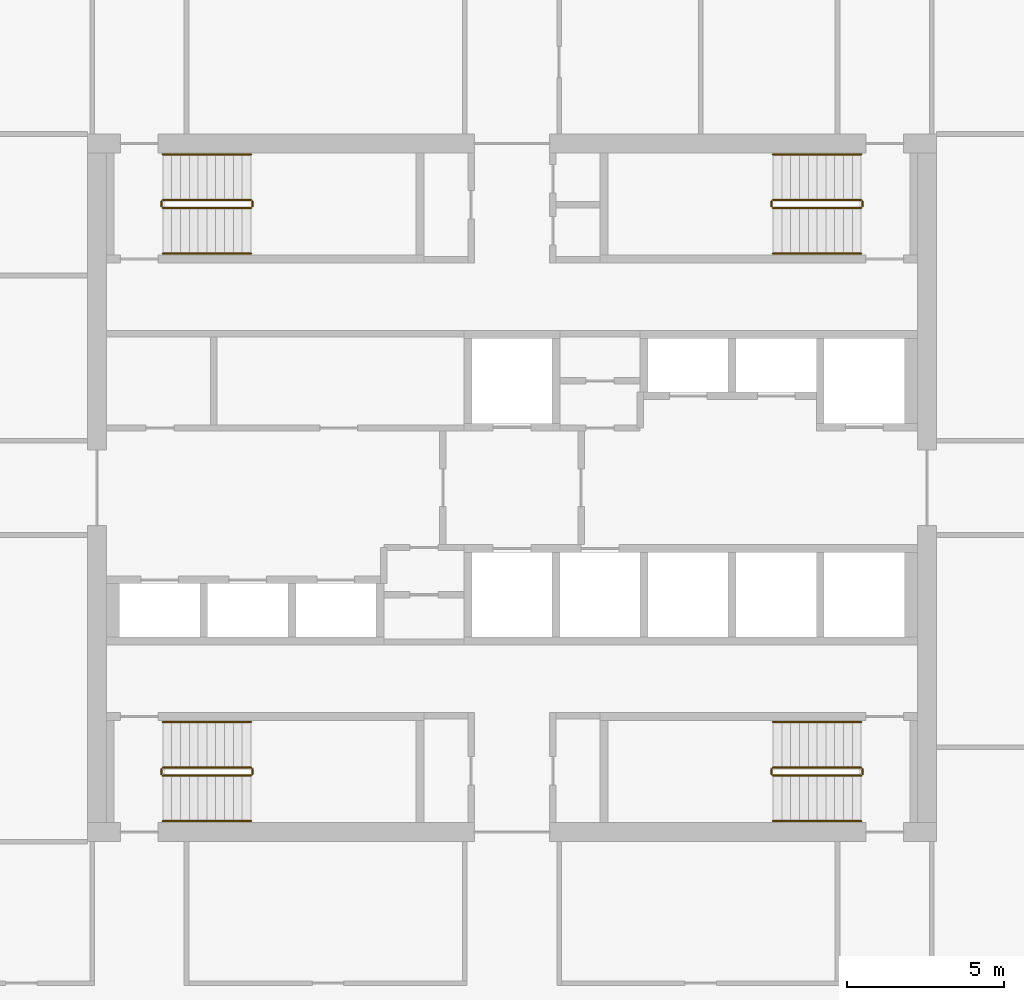
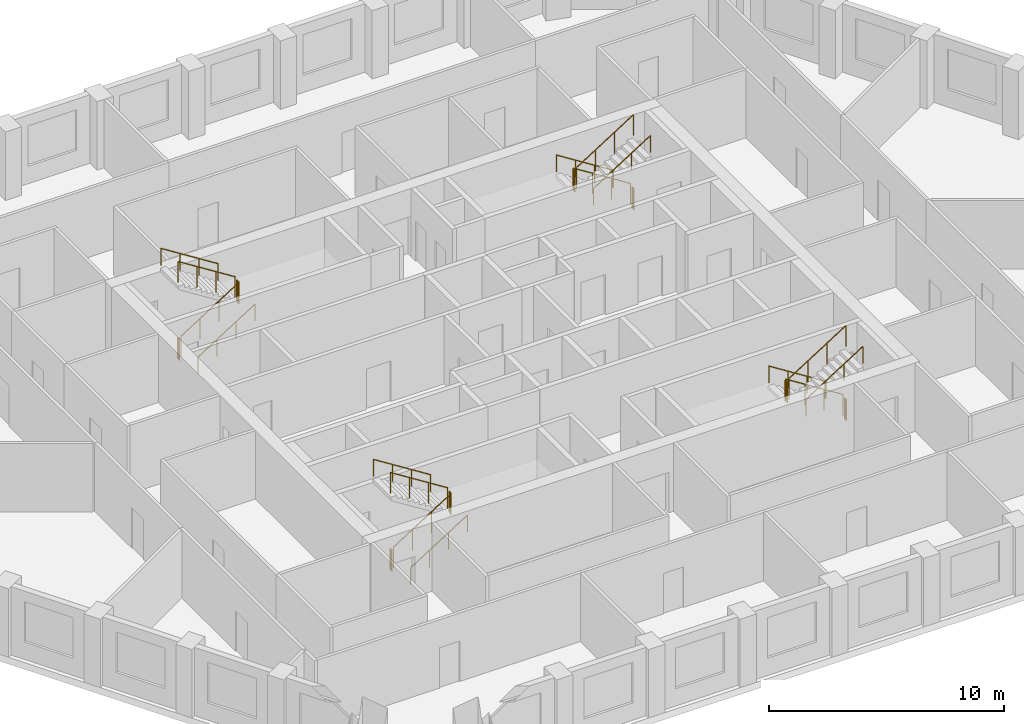
# One storey, part 9 of 9: 24 railings.
"""IFC4 building model written with IfcOpenShell, lengths in metres."""

import ifcopenshell
import ifcopenshell.guid

model = None  # the IFC model being written
_history = None  # IfcOwnerHistory: only IFC2X3 demands one
_inside = {}  # id of a spatial element -> (the spatial element, [elements in it])
_under = {}  # id of a project, library or spatial element -> (it, [spatial elements below it])
_declared = {}  # id of a project -> (the project, [libraries it declares])
_typed = {}  # id of a type object -> (the type object, [elements of that type])
_made_of = {}  # id of a material, layer set ... -> (it, [elements and type objects made of it])


def new_model(schema):
    """Start an empty IFC model of exactly this schema.

    Asked for "IFC4X3", IfcOpenShell would pick the latest addendum, in which some entities
    have other attributes; the version numbers below select the first issue.
    IFC2X3 requires an IfcOwnerHistory on every rooted entity: one is made here for all.
    """
    global model, _history
    if schema == "IFC4X3":
        model = ifcopenshell.file(schema_version=(4, 3, 0, 0))
    else:
        model = ifcopenshell.file(schema=schema)
    _inside.clear()
    _under.clear()
    _declared.clear()
    _typed.clear()
    _made_of.clear()
    _history = None
    if model.schema == "IFC2X3":
        org = make("IfcOrganization", Name="unknown")
        user = make(
            "IfcPersonAndOrganization",
            ThePerson=make("IfcPerson", FamilyName="unknown"),
            TheOrganization=org,
        )
        app = make(
            "IfcApplication",
            ApplicationDeveloper=org,
            Version="unknown",
            ApplicationFullName="unknown",
            ApplicationIdentifier="unknown",
        )
        _history = make(
            "IfcOwnerHistory",
            OwningUser=user,
            OwningApplication=app,
            ChangeAction="ADDED",
            CreationDate=0,
        )
    return model


def make(cls, **values):
    """One entity of the class cls with the attributes given. An attribute that is None is left unset."""
    return model.create_entity(
        cls, **{name: value for name, value in values.items() if value is not None}
    )


def rooted(cls, **values):
    """An entity with a GlobalId (a new one), such as an element, a storey or a relation."""
    return make(cls, GlobalId=ifcopenshell.guid.new(), OwnerHistory=_history, **values)


def si_unit(unit_type, name, prefix=None):
    """IfcSIUnit, for example si_unit("LENGTHUNIT", "METRE", prefix="MILLI")."""
    return make("IfcSIUnit", UnitType=unit_type, Prefix=prefix, Name=name)


def assignment(units):
    """IfcUnitAssignment: the units of a project."""
    return None if units is None else make("IfcUnitAssignment", Units=units)


def point(xyz):
    """IfcCartesianPoint."""
    return None if xyz is None else make("IfcCartesianPoint", Coordinates=xyz)


def direction(xyz):
    """IfcDirection."""
    return None if xyz is None else make("IfcDirection", DirectionRatios=xyz)


def frame(location, z_axis=None, x_axis=None):
    """IfcAxis2Placement3D, a coordinate frame: its origin and axes. An axis left out is left unset."""
    return make(
        "IfcAxis2Placement3D",
        Location=point(location),
        Axis=direction(z_axis),
        RefDirection=direction(x_axis),
    )


def frame_2d(location, x_axis=None):
    """IfcAxis2Placement2D, a coordinate frame in the plane: its origin and x axis."""
    return make(
        "IfcAxis2Placement2D", Location=point(location), RefDirection=direction(x_axis)
    )


def origin():
    """The frame at (0, 0, 0) with its axes left unset."""
    return frame((0.0, 0.0, 0.0))


def origin_2d():
    """The frame at (0, 0) in the plane with its x axis left unset."""
    return frame_2d((0.0, 0.0))


def place(relative_to, where):
    """IfcLocalPlacement: puts the frame where relative to a parent placement (None: the world)."""
    return make(
        "IfcLocalPlacement", PlacementRelTo=relative_to, RelativePlacement=where
    )


def context(
    kind, dimensions, precision=None, world=None, true_north=None, identifier=None
):
    """IfcGeometricRepresentationContext, for example the 3D "Model" context."""
    return make(
        "IfcGeometricRepresentationContext",
        ContextIdentifier=identifier,
        ContextType=kind,
        CoordinateSpaceDimension=dimensions,
        Precision=precision,
        WorldCoordinateSystem=world,
        TrueNorth=true_north,
    )


def subcontext(parent, identifier, kind, view, scale=None):
    """IfcGeometricRepresentationSubContext, for example "Body" below "Model"."""
    return make(
        "IfcGeometricRepresentationSubContext",
        ContextIdentifier=identifier,
        ContextType=kind,
        ParentContext=parent,
        TargetScale=scale,
        TargetView=view,
    )


def project(units=None, contexts=None):
    """IfcProject with its units and contexts."""
    return rooted(
        "IfcProject",
        Name="project",
        RepresentationContexts=contexts,
        UnitsInContext=assignment(units),
    )


def spatial(cls, under=None, at=None, **own):
    """A site, building, storey or space (cls), placed at a placement, below another one or the project."""
    s = rooted(cls, ObjectPlacement=at, **own)
    if under is not None:
        _under.setdefault(under.id(), (under, []))[1].append(s)
    return s


def profile(cls, at=None, kind="AREA", **sizes):
    """A parametric profile (cls). Its sizes go by their IFC names, for example OverallWidth=200.0."""
    return make(cls, ProfileType=kind, Position=at, **sizes)


def circle(**sizes):
    """IfcCircleProfileDef."""
    return profile("IfcCircleProfileDef", **sizes)


def extrude(swept, where, along, depth):
    """IfcExtrudedAreaSolid: the profile swept, set in the frame where, extruded along a direction by depth."""
    return make(
        "IfcExtrudedAreaSolid",
        SweptArea=swept,
        Position=where,
        ExtrudedDirection=direction(along),
        Depth=depth,
    )


def shape(context_of_items, identifier, shape_type, items):
    """IfcShapeRepresentation: the items that make up one representation, for example the "Body"."""
    return make(
        "IfcShapeRepresentation",
        ContextOfItems=context_of_items,
        RepresentationIdentifier=identifier,
        RepresentationType=shape_type,
        Items=items,
    )


def material(Name=None, Category=None):
    """IfcMaterial."""
    return make("IfcMaterial", Name=Name, Category=Category)


def made_of(thing, what):
    """Note that an element or type object is made of a material, layer set ...; save() writes the relation."""
    if what is not None:
        _made_of.setdefault(what.id(), (what, []))[1].append(thing)
    return thing


def type_object(cls, material=None, **own):
    """A type object (cls), such as IfcWallType, which elements share."""
    return made_of(rooted(cls, **own), material)


def element(
    cls,
    number,
    at=None,
    inside=None,
    cuts=None,
    type_object=None,
    material=None,
    context=None,
    identifier="Body",
    shape_type=None,
    held_by="IfcProductDefinitionShape",
    body=None,
    shapes=None,
    **own,
):
    """One element of the class cls, such as IfcWall. Its Tag is "e" and its number.

    at: its placement. inside: the storey or other place that contains it. cuts: it is an
    opening in that element (IfcRelVoidsElement). A single representation is given by context,
    identifier, shape_type and body (its items); several are given by shapes. held_by: the class
    of the entity that holds the representations. save() writes the other relations.
    """
    e = rooted(cls, Tag="e%d" % number, ObjectPlacement=at, **own)
    if body is not None:
        shapes = [shape(context, identifier, shape_type, body)]
    if shapes is not None:
        e.Representation = make(held_by, Representations=shapes)
    if inside is not None:
        _inside.setdefault(inside.id(), (inside, []))[1].append(e)
    if cuts is not None:
        rooted(
            "IfcRelVoidsElement", RelatingBuildingElement=cuts, RelatedOpeningElement=e
        )
    if type_object is not None:
        _typed.setdefault(type_object.id(), (type_object, []))[1].append(e)
    return made_of(e, material)


def aggregate(whole, parts):
    """IfcRelAggregates: a whole, such as a stair, and the parts it consists of."""
    return rooted("IfcRelAggregates", RelatingObject=whole, RelatedObjects=parts)


def save(model, path):
    """Write the relations noted so far, then the file.

    IfcRelAggregates (storeys below a building ...), IfcRelContainedInSpatialStructure (elements
    in a storey), IfcRelDefinesByType, IfcRelAssociatesMaterial and IfcRelDeclares: one each for
    every whole, place, type object, material and project.
    """
    for whole, parts in _under.values():
        aggregate(whole, parts)
    for where, things in _inside.values():
        rooted(
            "IfcRelContainedInSpatialStructure",
            RelatedElements=things,
            RelatingStructure=where,
        )
    for kind, things in _typed.values():
        rooted("IfcRelDefinesByType", RelatedObjects=things, RelatingType=kind)
    for what, things in _made_of.values():
        rooted("IfcRelAssociatesMaterial", RelatedObjects=things, RelatingMaterial=what)
    for by, libraries in _declared.values():
        rooted("IfcRelDeclares", RelatingContext=by, RelatedDefinitions=libraries)
    model.write(path)


model = new_model("IFC4")

# Units and contexts
model_context = context("Model", 3, precision=1e-05, world=origin(), true_north=direction((0.0, 1.0)))
body_context = subcontext(model_context, "Body", "Model", "MODEL_VIEW")
ifc_project = project(units=[si_unit("LENGTHUNIT", "METRE"), si_unit("AREAUNIT", "SQUARE_METRE"), si_unit("VOLUMEUNIT", "CUBIC_METRE"), si_unit("PLANEANGLEUNIT", "RADIAN"), si_unit("MASSUNIT", "GRAM", prefix="KILO")], contexts=[model_context])

# Site, building, storey
site_placement = place(None, origin())
site = spatial("IfcSite", under=ifc_project, at=site_placement, CompositionType="ELEMENT")
building_placement = place(site_placement, origin())
building = spatial("IfcBuilding", under=site, at=building_placement, Name="Dhurran Vertical Campus", CompositionType="ELEMENT")
storey_placement = place(building_placement, frame((0.0, 0.0, 195.60009765625)))
storey = spatial("IfcBuildingStorey", under=building, at=storey_placement, Name="L48", CompositionType="ELEMENT", Elevation=195.60009765625)

# Railings
ifc_material_1 = material(Name="Stainless steel balustrade", Category="steel")
railing_type_1 = type_object("IfcRailingType", Name="co-RL-GUARD-1100", PredefinedType="GUARDRAIL", material=ifc_material_1)
railing_1_placement = place(storey_placement, frame((-11.10009765625, 8.89990234375, 0.17724609375)))
element("IfcRailing", 1, at=railing_1_placement, inside=storey, type_object=railing_type_1, Name="L48 ST1 stair guard 1", PredefinedType="GUARDRAIL", context=body_context, shape_type="SweptSolid", body=[
    extrude(circle(Radius=0.02392578125, at=origin_2d()), frame((0.0, 0.0, 1.076171875), z_axis=(0.844908973607, 0.0, 0.534910110503), x_axis=(0.0, 1.0, 0.0)), (0.0, 0.0, 1.0), 3.31396484375),
    extrude(circle(Radius=0.02099609375, at=origin_2d()), origin(), (0.0, 0.0, 1.0), 1.052001953125),
    extrude(circle(Radius=0.02099609375, at=origin_2d()), frame((0.933349609375, 0.0, 0.5908203125)), (0.0, 0.0, 1.0), 1.052001953125),
    extrude(circle(Radius=0.02099609375, at=origin_2d()), frame((1.86669921875, 0.0, 1.181884765625)), (0.0, 0.0, 1.0), 1.052001953125),
    extrude(circle(Radius=0.02099609375, at=origin_2d()), frame((2.800048828125, 0.0, 1.772705078125)), (0.0, 0.0, 1.0), 1.052001953125),
])
railing_2_placement = place(storey_placement, frame((-8.25, 8.949951171875, 1.949951171875)))
element("IfcRailing", 2, at=railing_2_placement, inside=storey, type_object=railing_type_1, Name="L48 ST1 stair guard 2", PredefinedType="GUARDRAIL", context=body_context, shape_type="SweptSolid", body=[
    extrude(circle(Radius=0.02392578125, at=origin_2d()), frame((0.0, 0.0, 1.076171875), z_axis=(0.0, 1.0, 0.0), x_axis=(-1.0, 0.0, 0.0)), (0.0, 0.0, 1.0), 0.150146484375),
    extrude(circle(Radius=0.02099609375, at=origin_2d()), origin(), (0.0, 0.0, 1.0), 1.052001953125),
    extrude(circle(Radius=0.02099609375, at=origin_2d()), frame((0.0, 0.150146484375, 0.0)), (0.0, 0.0, 1.0), 1.052001953125),
])
railing_3_placement = place(storey_placement, frame((-8.300048828125, 9.14990234375, 2.127197265625)))
element("IfcRailing", 3, at=railing_3_placement, inside=storey, type_object=railing_type_1, Name="L48 ST1 stair guard 3", PredefinedType="GUARDRAIL", context=body_context, shape_type="SweptSolid", body=[
    extrude(circle(Radius=0.02392578125, at=origin_2d()), frame((0.0, 0.0, 1.076171875), z_axis=(-0.844908973607, 0.0, 0.534910110503), x_axis=(0.0, -1.0, 0.0)), (0.0, 0.0, 1.0), 3.31396484375),
    extrude(circle(Radius=0.02099609375, at=origin_2d()), origin(), (0.0, 0.0, 1.0), 1.052001953125),
    extrude(circle(Radius=0.02099609375, at=origin_2d()), frame((-0.933349609375, 0.0, 0.5908203125)), (0.0, 0.0, 1.0), 1.052001953125),
    extrude(circle(Radius=0.02099609375, at=origin_2d()), frame((-1.86669921875, 0.0, 1.181884765625)), (0.0, 0.0, 1.0), 1.052001953125),
    extrude(circle(Radius=0.02099609375, at=origin_2d()), frame((-2.800048828125, 0.0, 1.772705078125)), (0.0, 0.0, 1.0), 1.052001953125),
])
railing_4_placement = place(storey_placement, frame((-11.14990234375, 8.949951171875, 0.0)))
element("IfcRailing", 4, at=railing_4_placement, inside=storey, type_object=railing_type_1, Name="L48 ST1 stair guard 4", PredefinedType="GUARDRAIL", context=body_context, shape_type="SweptSolid", body=[
    extrude(circle(Radius=0.02392578125, at=origin_2d()), frame((0.0, 0.0, 1.076171875), z_axis=(0.0, 1.0, 0.0), x_axis=(-1.0, 0.0, 0.0)), (0.0, 0.0, 1.0), 0.150146484375),
    extrude(circle(Radius=0.02099609375, at=origin_2d()), origin(), (0.0, 0.0, 1.0), 1.052001953125),
    extrude(circle(Radius=0.02099609375, at=origin_2d()), frame((0.0, 0.150146484375, 0.0)), (0.0, 0.0, 1.0), 1.052001953125),
])
railing_5_placement = place(storey_placement, frame((11.10009765625, 9.14990234375, 0.17724609375)))
element("IfcRailing", 5, at=railing_5_placement, inside=storey, type_object=railing_type_1, Name="L48 ST2 stair guard 1", PredefinedType="GUARDRAIL", context=body_context, shape_type="SweptSolid", body=[
    extrude(circle(Radius=0.02392578125, at=origin_2d()), frame((0.0, 0.0, 1.076171875), z_axis=(-0.844908973607, 0.0, 0.534910110503), x_axis=(0.0, -1.0, 0.0)), (0.0, 0.0, 1.0), 3.31396484375),
    extrude(circle(Radius=0.02099609375, at=origin_2d()), origin(), (0.0, 0.0, 1.0), 1.052001953125),
    extrude(circle(Radius=0.02099609375, at=origin_2d()), frame((-0.933349609375, 0.0, 0.5908203125)), (0.0, 0.0, 1.0), 1.052001953125),
    extrude(circle(Radius=0.02099609375, at=origin_2d()), frame((-1.86669921875, 0.0, 1.181884765625)), (0.0, 0.0, 1.0), 1.052001953125),
    extrude(circle(Radius=0.02099609375, at=origin_2d()), frame((-2.800048828125, 0.0, 1.772705078125)), (0.0, 0.0, 1.0), 1.052001953125),
])
railing_6_placement = place(storey_placement, frame((8.25, 9.10009765625, 1.949951171875)))
element("IfcRailing", 6, at=railing_6_placement, inside=storey, type_object=railing_type_1, Name="L48 ST2 stair guard 2", PredefinedType="GUARDRAIL", context=body_context, shape_type="SweptSolid", body=[
    extrude(circle(Radius=0.02392578125, at=origin_2d()), frame((0.0, 0.0, 1.076171875), z_axis=(0.0, -1.0, 0.0), x_axis=(1.0, 0.0, 0.0)), (0.0, 0.0, 1.0), 0.150146484375),
    extrude(circle(Radius=0.02099609375, at=origin_2d()), origin(), (0.0, 0.0, 1.0), 1.052001953125),
    extrude(circle(Radius=0.02099609375, at=origin_2d()), frame((0.0, -0.150146484375, 0.0)), (0.0, 0.0, 1.0), 1.052001953125),
])
railing_7_placement = place(storey_placement, frame((8.300048828125, 8.89990234375, 2.127197265625)))
element("IfcRailing", 7, at=railing_7_placement, inside=storey, type_object=railing_type_1, Name="L48 ST2 stair guard 3", PredefinedType="GUARDRAIL", context=body_context, shape_type="SweptSolid", body=[
    extrude(circle(Radius=0.02392578125, at=origin_2d()), frame((0.0, 0.0, 1.076171875), z_axis=(0.844908973607, 0.0, 0.534910110503), x_axis=(0.0, 1.0, 0.0)), (0.0, 0.0, 1.0), 3.31396484375),
    extrude(circle(Radius=0.02099609375, at=origin_2d()), origin(), (0.0, 0.0, 1.0), 1.052001953125),
    extrude(circle(Radius=0.02099609375, at=origin_2d()), frame((0.933349609375, 0.0, 0.5908203125)), (0.0, 0.0, 1.0), 1.052001953125),
    extrude(circle(Radius=0.02099609375, at=origin_2d()), frame((1.86669921875, 0.0, 1.181884765625)), (0.0, 0.0, 1.0), 1.052001953125),
    extrude(circle(Radius=0.02099609375, at=origin_2d()), frame((2.800048828125, 0.0, 1.772705078125)), (0.0, 0.0, 1.0), 1.052001953125),
])
railing_8_placement = place(storey_placement, frame((11.14990234375, 9.10009765625, 0.0)))
element("IfcRailing", 8, at=railing_8_placement, inside=storey, type_object=railing_type_1, Name="L48 ST2 stair guard 4", PredefinedType="GUARDRAIL", context=body_context, shape_type="SweptSolid", body=[
    extrude(circle(Radius=0.02392578125, at=origin_2d()), frame((0.0, 0.0, 1.076171875), z_axis=(0.0, -1.0, 0.0), x_axis=(1.0, 0.0, 0.0)), (0.0, 0.0, 1.0), 0.150146484375),
    extrude(circle(Radius=0.02099609375, at=origin_2d()), origin(), (0.0, 0.0, 1.0), 1.052001953125),
    extrude(circle(Radius=0.02099609375, at=origin_2d()), frame((0.0, -0.150146484375, 0.0)), (0.0, 0.0, 1.0), 1.052001953125),
])
railing_9_placement = place(storey_placement, frame((-11.10009765625, -9.14990234375, 0.17724609375)))
element("IfcRailing", 9, at=railing_9_placement, inside=storey, type_object=railing_type_1, Name="L48 ST3 stair guard 1", PredefinedType="GUARDRAIL", context=body_context, shape_type="SweptSolid", body=[
    extrude(circle(Radius=0.02392578125, at=origin_2d()), frame((0.0, 0.0, 1.076171875), z_axis=(0.844908973607, 0.0, 0.534910110503), x_axis=(0.0, 1.0, 0.0)), (0.0, 0.0, 1.0), 3.31396484375),
    extrude(circle(Radius=0.02099609375, at=origin_2d()), origin(), (0.0, 0.0, 1.0), 1.052001953125),
    extrude(circle(Radius=0.02099609375, at=origin_2d()), frame((0.933349609375, 0.0, 0.5908203125)), (0.0, 0.0, 1.0), 1.052001953125),
    extrude(circle(Radius=0.02099609375, at=origin_2d()), frame((1.86669921875, 0.0, 1.181884765625)), (0.0, 0.0, 1.0), 1.052001953125),
    extrude(circle(Radius=0.02099609375, at=origin_2d()), frame((2.800048828125, 0.0, 1.772705078125)), (0.0, 0.0, 1.0), 1.052001953125),
])
railing_10_placement = place(storey_placement, frame((-8.25, -9.10009765625, 1.949951171875)))
element("IfcRailing", 10, at=railing_10_placement, inside=storey, type_object=railing_type_1, Name="L48 ST3 stair guard 2", PredefinedType="GUARDRAIL", context=body_context, shape_type="SweptSolid", body=[
    extrude(circle(Radius=0.02392578125, at=origin_2d()), frame((0.0, 0.0, 1.076171875), z_axis=(0.0, 1.0, 0.0), x_axis=(-1.0, 0.0, 0.0)), (0.0, 0.0, 1.0), 0.150146484375),
    extrude(circle(Radius=0.02099609375, at=origin_2d()), origin(), (0.0, 0.0, 1.0), 1.052001953125),
    extrude(circle(Radius=0.02099609375, at=origin_2d()), frame((0.0, 0.150146484375, 0.0)), (0.0, 0.0, 1.0), 1.052001953125),
])
railing_11_placement = place(storey_placement, frame((-8.300048828125, -8.89990234375, 2.127197265625)))
element("IfcRailing", 11, at=railing_11_placement, inside=storey, type_object=railing_type_1, Name="L48 ST3 stair guard 3", PredefinedType="GUARDRAIL", context=body_context, shape_type="SweptSolid", body=[
    extrude(circle(Radius=0.02392578125, at=origin_2d()), frame((0.0, 0.0, 1.076171875), z_axis=(-0.844908973607, 0.0, 0.534910110503), x_axis=(0.0, -1.0, 0.0)), (0.0, 0.0, 1.0), 3.31396484375),
    extrude(circle(Radius=0.02099609375, at=origin_2d()), origin(), (0.0, 0.0, 1.0), 1.052001953125),
    extrude(circle(Radius=0.02099609375, at=origin_2d()), frame((-0.933349609375, 0.0, 0.5908203125)), (0.0, 0.0, 1.0), 1.052001953125),
    extrude(circle(Radius=0.02099609375, at=origin_2d()), frame((-1.86669921875, 0.0, 1.181884765625)), (0.0, 0.0, 1.0), 1.052001953125),
    extrude(circle(Radius=0.02099609375, at=origin_2d()), frame((-2.800048828125, 0.0, 1.772705078125)), (0.0, 0.0, 1.0), 1.052001953125),
])
railing_12_placement = place(storey_placement, frame((-11.14990234375, -9.10009765625, 0.0)))
element("IfcRailing", 12, at=railing_12_placement, inside=storey, type_object=railing_type_1, Name="L48 ST3 stair guard 4", PredefinedType="GUARDRAIL", context=body_context, shape_type="SweptSolid", body=[
    extrude(circle(Radius=0.02392578125, at=origin_2d()), frame((0.0, 0.0, 1.076171875), z_axis=(0.0, 1.0, 0.0), x_axis=(-1.0, 0.0, 0.0)), (0.0, 0.0, 1.0), 0.150146484375),
    extrude(circle(Radius=0.02099609375, at=origin_2d()), origin(), (0.0, 0.0, 1.0), 1.052001953125),
    extrude(circle(Radius=0.02099609375, at=origin_2d()), frame((0.0, 0.150146484375, 0.0)), (0.0, 0.0, 1.0), 1.052001953125),
])
railing_13_placement = place(storey_placement, frame((11.10009765625, -8.89990234375, 0.17724609375)))
element("IfcRailing", 13, at=railing_13_placement, inside=storey, type_object=railing_type_1, Name="L48 ST4 stair guard 1", PredefinedType="GUARDRAIL", context=body_context, shape_type="SweptSolid", body=[
    extrude(circle(Radius=0.02392578125, at=origin_2d()), frame((0.0, 0.0, 1.076171875), z_axis=(-0.844908973607, 0.0, 0.534910110503), x_axis=(0.0, -1.0, 0.0)), (0.0, 0.0, 1.0), 3.31396484375),
    extrude(circle(Radius=0.02099609375, at=origin_2d()), origin(), (0.0, 0.0, 1.0), 1.052001953125),
    extrude(circle(Radius=0.02099609375, at=origin_2d()), frame((-0.933349609375, 0.0, 0.5908203125)), (0.0, 0.0, 1.0), 1.052001953125),
    extrude(circle(Radius=0.02099609375, at=origin_2d()), frame((-1.86669921875, 0.0, 1.181884765625)), (0.0, 0.0, 1.0), 1.052001953125),
    extrude(circle(Radius=0.02099609375, at=origin_2d()), frame((-2.800048828125, 0.0, 1.772705078125)), (0.0, 0.0, 1.0), 1.052001953125),
])
railing_14_placement = place(storey_placement, frame((8.25, -8.949951171875, 1.949951171875)))
element("IfcRailing", 14, at=railing_14_placement, inside=storey, type_object=railing_type_1, Name="L48 ST4 stair guard 2", PredefinedType="GUARDRAIL", context=body_context, shape_type="SweptSolid", body=[
    extrude(circle(Radius=0.02392578125, at=origin_2d()), frame((0.0, 0.0, 1.076171875), z_axis=(0.0, -1.0, 0.0), x_axis=(1.0, 0.0, 0.0)), (0.0, 0.0, 1.0), 0.150146484375),
    extrude(circle(Radius=0.02099609375, at=origin_2d()), origin(), (0.0, 0.0, 1.0), 1.052001953125),
    extrude(circle(Radius=0.02099609375, at=origin_2d()), frame((0.0, -0.150146484375, 0.0)), (0.0, 0.0, 1.0), 1.052001953125),
])
railing_15_placement = place(storey_placement, frame((8.300048828125, -9.14990234375, 2.127197265625)))
element("IfcRailing", 15, at=railing_15_placement, inside=storey, type_object=railing_type_1, Name="L48 ST4 stair guard 3", PredefinedType="GUARDRAIL", context=body_context, shape_type="SweptSolid", body=[
    extrude(circle(Radius=0.02392578125, at=origin_2d()), frame((0.0, 0.0, 1.076171875), z_axis=(0.844908973607, 0.0, 0.534910110503), x_axis=(0.0, 1.0, 0.0)), (0.0, 0.0, 1.0), 3.31396484375),
    extrude(circle(Radius=0.02099609375, at=origin_2d()), origin(), (0.0, 0.0, 1.0), 1.052001953125),
    extrude(circle(Radius=0.02099609375, at=origin_2d()), frame((0.933349609375, 0.0, 0.5908203125)), (0.0, 0.0, 1.0), 1.052001953125),
    extrude(circle(Radius=0.02099609375, at=origin_2d()), frame((1.86669921875, 0.0, 1.181884765625)), (0.0, 0.0, 1.0), 1.052001953125),
    extrude(circle(Radius=0.02099609375, at=origin_2d()), frame((2.800048828125, 0.0, 1.772705078125)), (0.0, 0.0, 1.0), 1.052001953125),
])
railing_16_placement = place(storey_placement, frame((11.14990234375, -8.949951171875, 0.0)))
element("IfcRailing", 16, at=railing_16_placement, inside=storey, type_object=railing_type_1, Name="L48 ST4 stair guard 4", PredefinedType="GUARDRAIL", context=body_context, shape_type="SweptSolid", body=[
    extrude(circle(Radius=0.02392578125, at=origin_2d()), frame((0.0, 0.0, 1.076171875), z_axis=(0.0, -1.0, 0.0), x_axis=(1.0, 0.0, 0.0)), (0.0, 0.0, 1.0), 0.150146484375),
    extrude(circle(Radius=0.02099609375, at=origin_2d()), origin(), (0.0, 0.0, 1.0), 1.052001953125),
    extrude(circle(Radius=0.02099609375, at=origin_2d()), frame((0.0, -0.150146484375, 0.0)), (0.0, 0.0, 1.0), 1.052001953125),
])
ifc_material_2 = material(Name="Stainless steel handrail", Category="steel")
railing_type_2 = type_object("IfcRailingType", Name="co-RL-HANDRAIL-900", PredefinedType="HANDRAIL", material=ifc_material_2)
railing_17_placement = place(storey_placement, frame((-11.10009765625, 7.449951171875, 0.17724609375)))
element("IfcRailing", 17, at=railing_17_placement, inside=storey, type_object=railing_type_2, Name="L48 ST1 stair handrail 1", PredefinedType="HANDRAIL", context=body_context, shape_type="SweptSolid", body=[
    extrude(circle(Radius=0.02392578125, at=origin_2d()), frame((0.0, 0.0, 0.8759765625), z_axis=(0.844908973607, 0.0, 0.534910110503), x_axis=(0.0, 1.0, 0.0)), (0.0, 0.0, 1.0), 3.31396484375),
    extrude(circle(Radius=0.02099609375, at=origin_2d()), origin(), (0.0, 0.0, 1.0), 0.851806640625),
    extrude(circle(Radius=0.02099609375, at=origin_2d()), frame((0.933349609375, 0.0, 0.5908203125)), (0.0, 0.0, 1.0), 0.851806640625),
    extrude(circle(Radius=0.02099609375, at=origin_2d()), frame((1.86669921875, 0.0, 1.181884765625)), (0.0, 0.0, 1.0), 0.851806640625),
    extrude(circle(Radius=0.02099609375, at=origin_2d()), frame((2.800048828125, 0.0, 1.772705078125)), (0.0, 0.0, 1.0), 0.851806640625),
])
for number, where, name in (
    (18, (-8.300048828125, 10.60009765625, 2.127197265625), "L48 ST1 stair handrail 2"),
    (19, (11.10009765625, 10.60009765625, 0.17724609375), "L48 ST2 stair handrail 1"),
):
    element("IfcRailing", number, at=place(storey_placement, frame(where)), inside=storey, type_object=railing_type_2, Name=name, PredefinedType="HANDRAIL", context=body_context, shape_type="SweptSolid", body=[
        extrude(circle(Radius=0.02392578125, at=origin_2d()), frame((0.0, 0.0, 0.8759765625), z_axis=(-0.844908973607, 0.0, 0.534910110503), x_axis=(0.0, -1.0, 0.0)), (0.0, 0.0, 1.0), 3.31396484375),
        extrude(circle(Radius=0.02099609375, at=origin_2d()), origin(), (0.0, 0.0, 1.0), 0.851806640625),
        extrude(circle(Radius=0.02099609375, at=origin_2d()), frame((-0.933349609375, 0.0, 0.5908203125)), (0.0, 0.0, 1.0), 0.851806640625),
        extrude(circle(Radius=0.02099609375, at=origin_2d()), frame((-1.86669921875, 0.0, 1.181884765625)), (0.0, 0.0, 1.0), 0.851806640625),
        extrude(circle(Radius=0.02099609375, at=origin_2d()), frame((-2.800048828125, 0.0, 1.772705078125)), (0.0, 0.0, 1.0), 0.851806640625),
    ])
for number, where, name in (
    (20, (8.300048828125, 7.449951171875, 2.127197265625), "L48 ST2 stair handrail 2"),
    (21, (-11.10009765625, -10.60009765625, 0.17724609375), "L48 ST3 stair handrail 1"),
):
    element("IfcRailing", number, at=place(storey_placement, frame(where)), inside=storey, type_object=railing_type_2, Name=name, PredefinedType="HANDRAIL", context=body_context, shape_type="SweptSolid", body=[
        extrude(circle(Radius=0.02392578125, at=origin_2d()), frame((0.0, 0.0, 0.8759765625), z_axis=(0.844908973607, 0.0, 0.534910110503), x_axis=(0.0, 1.0, 0.0)), (0.0, 0.0, 1.0), 3.31396484375),
        extrude(circle(Radius=0.02099609375, at=origin_2d()), origin(), (0.0, 0.0, 1.0), 0.851806640625),
        extrude(circle(Radius=0.02099609375, at=origin_2d()), frame((0.933349609375, 0.0, 0.5908203125)), (0.0, 0.0, 1.0), 0.851806640625),
        extrude(circle(Radius=0.02099609375, at=origin_2d()), frame((1.86669921875, 0.0, 1.181884765625)), (0.0, 0.0, 1.0), 0.851806640625),
        extrude(circle(Radius=0.02099609375, at=origin_2d()), frame((2.800048828125, 0.0, 1.772705078125)), (0.0, 0.0, 1.0), 0.851806640625),
    ])
for number, where, name in (
    (22, (-8.300048828125, -7.449951171875, 2.127197265625), "L48 ST3 stair handrail 2"),
    (23, (11.10009765625, -7.449951171875, 0.17724609375), "L48 ST4 stair handrail 1"),
):
    element("IfcRailing", number, at=place(storey_placement, frame(where)), inside=storey, type_object=railing_type_2, Name=name, PredefinedType="HANDRAIL", context=body_context, shape_type="SweptSolid", body=[
        extrude(circle(Radius=0.02392578125, at=origin_2d()), frame((0.0, 0.0, 0.8759765625), z_axis=(-0.844908973607, 0.0, 0.534910110503), x_axis=(0.0, -1.0, 0.0)), (0.0, 0.0, 1.0), 3.31396484375),
        extrude(circle(Radius=0.02099609375, at=origin_2d()), origin(), (0.0, 0.0, 1.0), 0.851806640625),
        extrude(circle(Radius=0.02099609375, at=origin_2d()), frame((-0.933349609375, 0.0, 0.5908203125)), (0.0, 0.0, 1.0), 0.851806640625),
        extrude(circle(Radius=0.02099609375, at=origin_2d()), frame((-1.86669921875, 0.0, 1.181884765625)), (0.0, 0.0, 1.0), 0.851806640625),
        extrude(circle(Radius=0.02099609375, at=origin_2d()), frame((-2.800048828125, 0.0, 1.772705078125)), (0.0, 0.0, 1.0), 0.851806640625),
    ])
railing_18_placement = place(storey_placement, frame((8.300048828125, -10.60009765625, 2.127197265625)))
element("IfcRailing", 24, at=railing_18_placement, inside=storey, type_object=railing_type_2, Name="L48 ST4 stair handrail 2", PredefinedType="HANDRAIL", context=body_context, shape_type="SweptSolid", body=[
    extrude(circle(Radius=0.02392578125, at=origin_2d()), frame((0.0, 0.0, 0.8759765625), z_axis=(0.844908973607, 0.0, 0.534910110503), x_axis=(0.0, 1.0, 0.0)), (0.0, 0.0, 1.0), 3.31396484375),
    extrude(circle(Radius=0.02099609375, at=origin_2d()), origin(), (0.0, 0.0, 1.0), 0.851806640625),
    extrude(circle(Radius=0.02099609375, at=origin_2d()), frame((0.933349609375, 0.0, 0.5908203125)), (0.0, 0.0, 1.0), 0.851806640625),
    extrude(circle(Radius=0.02099609375, at=origin_2d()), frame((1.86669921875, 0.0, 1.181884765625)), (0.0, 0.0, 1.0), 0.851806640625),
    extrude(circle(Radius=0.02099609375, at=origin_2d()), frame((2.800048828125, 0.0, 1.772705078125)), (0.0, 0.0, 1.0), 0.851806640625),
])

save(model, "model.ifc")
